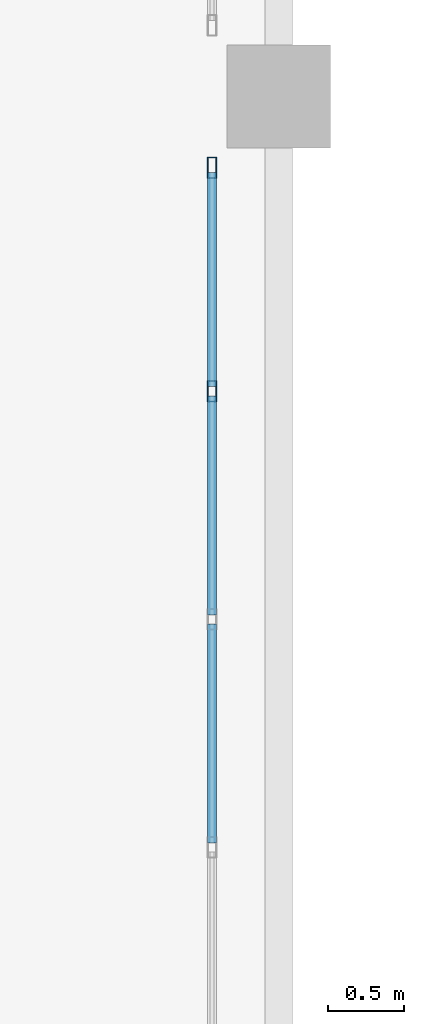
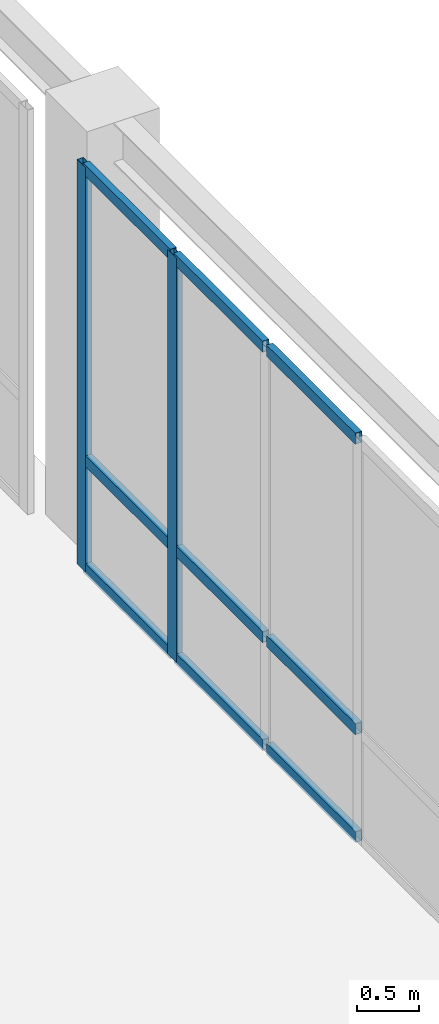
# One storey, part 67 of 140: 11 members, 1 element without a shape of its own.
"""IFC4 building model written with IfcOpenShell, lengths in metres."""

from ifc_helpers import new_model, si_unit, direction, frame, origin, origin_2d, place, context, subcontext, project, spatial, hollow_rectangle, extrude, material, layer, layer_set, material_profile, profile_set, type_object, element, aggregate, save


model = new_model("IFC4")

# Units and contexts
model_context = context("Model", 3, precision=1e-05, world=origin(), true_north=direction((0.0, 1.0)))
body_context = subcontext(model_context, "Body", "Model", "MODEL_VIEW")
ifc_project = project(units=[si_unit("LENGTHUNIT", "METRE"), si_unit("AREAUNIT", "SQUARE_METRE"), si_unit("VOLUMEUNIT", "CUBIC_METRE"), si_unit("PLANEANGLEUNIT", "RADIAN"), si_unit("MASSUNIT", "GRAM", prefix="KILO")], contexts=[model_context])

# Site, building, storey
site_placement = place(None, origin())
site = spatial("IfcSite", under=ifc_project, at=site_placement, CompositionType="ELEMENT")
building_placement = place(site_placement, origin())
building = spatial("IfcBuilding", under=site, at=building_placement, Name="Trelvath General Hospital", CompositionType="ELEMENT")
storey_placement = place(building_placement, frame((0.0, 0.0, 16.199951171875)))
storey = spatial("IfcBuildingStorey", under=building, at=storey_placement, Name="L04", CompositionType="ELEMENT", Elevation=16.199951171875)

# Curtain wall, members
ifc_material_1 = material(Name="Anodised aluminium and low-E glass", Category="aluminium")
ifc_layer = layer(ifc_material_1, 0.139892578125)
ifc_layer_set = layer_set([ifc_layer], Name="Anodised aluminium and low-E glass")
curtain_wall_type = type_object("IfcCurtainWallType", Name="CW Bridge 752 401", PredefinedType="USERDEFINED", material=ifc_layer_set)
curtain_wall_placement = place(storey_placement, origin())
curtain_wall = element("IfcCurtainWall", 1, at=curtain_wall_placement, inside=storey, type_object=curtain_wall_type, Name="Glazed Bridge Curtain Wall BRG-N-C E L04", ObjectType="Unitised Glazed Curtain Wall", PredefinedType="USERDEFINED")
ifc_material_2 = material(Name="Anodised aluminium", Category="aluminium")
ifc_material_profile_1 = material_profile(ifc_material_2, hollow_rectangle(XDim=0.06005859375, YDim=0.139892578125, WallThickness=0.00390625, at=origin_2d()), Name="RHS60x140x4")
ifc_profile_set_1 = profile_set([ifc_material_profile_1], Name="Anodised aluminium")
member_type_1 = type_object("IfcMemberType", Name="CurtainMullion 60x140", PredefinedType="MULLION", material=ifc_profile_set_1)
member_1_placement = place(storey_placement, frame((83.56005859375, 83.530029296875, 0.0), z_axis=(0.0, 0.0, 1.0), x_axis=(1.0, 0.0, 0.0)))
member_1 = element("IfcMember", 2, at=member_1_placement, type_object=member_type_1, Name="CW-299 mullion 1", PredefinedType="MULLION", context=body_context, shape_type="SweptSolid", body=[
    extrude(hollow_rectangle(XDim=0.06005859375, YDim=0.139892578125, WallThickness=0.00390625, at=origin_2d()), origin(), (0.0, 0.0, 1.0), 4.010009765625),
])
member_2_placement = place(storey_placement, frame((83.56005859375, 82.055908203125, 0.0), z_axis=(0.0, 0.0, 1.0), x_axis=(1.0, 0.0, 0.0)))
member_2 = element("IfcMember", 3, at=member_2_placement, type_object=member_type_1, Name="CW-299 mullion 2", PredefinedType="MULLION", context=body_context, shape_type="SweptSolid", body=[
    extrude(hollow_rectangle(XDim=0.06005859375, YDim=0.139892578125, WallThickness=0.00390625, at=origin_2d()), origin(), (0.0, 0.0, 1.0), 4.010009765625),
])
ifc_material_3 = material(Name="Anodised aluminium", Category="aluminium")
ifc_material_profile_2 = material_profile(ifc_material_3, hollow_rectangle(XDim=0.06005859375, YDim=0.110107421875, WallThickness=0.00390625, at=origin_2d()), Name="RHS60x110x4")
ifc_profile_set_2 = profile_set([ifc_material_profile_2], Name="Anodised aluminium")
member_type_2 = type_object("IfcMemberType", Name="CurtainTransom 60x110", PredefinedType="USERDEFINED", material=ifc_profile_set_2)
member_3_placement = place(storey_placement, frame((83.56005859375, 83.5, 0.030029296875), z_axis=(0.0, -1.0, 0.0), x_axis=(1.0, 0.0, 0.0)))
member_3 = element("IfcMember", 4, at=member_3_placement, type_object=member_type_2, Name="CW-299 transom 1.1", ObjectType="TRANSOM", PredefinedType="USERDEFINED", context=body_context, shape_type="SweptSolid", body=[
    extrude(hollow_rectangle(XDim=0.06005859375, YDim=0.110107421875, WallThickness=0.00390625, at=origin_2d()), origin(), (0.0, 0.0, 1.0), 1.4140625),
])
member_4_placement = place(storey_placement, frame((83.56005859375, 83.5, 1.10009765625), z_axis=(0.0, -1.0, 0.0), x_axis=(1.0, 0.0, 0.0)))
member_4 = element("IfcMember", 5, at=member_4_placement, type_object=member_type_2, Name="CW-299 transom 1.2", ObjectType="TRANSOM", PredefinedType="USERDEFINED", context=body_context, shape_type="SweptSolid", body=[
    extrude(hollow_rectangle(XDim=0.06005859375, YDim=0.110107421875, WallThickness=0.00390625, at=origin_2d()), origin(), (0.0, 0.0, 1.0), 1.4140625),
])
member_5_placement = place(storey_placement, frame((83.56005859375, 83.5, 3.97998046875), z_axis=(0.0, -1.0, 0.0), x_axis=(1.0, 0.0, 0.0)))
member_5 = element("IfcMember", 6, at=member_5_placement, type_object=member_type_2, Name="CW-299 transom 1.3", ObjectType="TRANSOM", PredefinedType="USERDEFINED", context=body_context, shape_type="SweptSolid", body=[
    extrude(hollow_rectangle(XDim=0.06005859375, YDim=0.110107421875, WallThickness=0.00390625, at=origin_2d()), origin(), (0.0, 0.0, 1.0), 1.4140625),
])
member_6_placement = place(storey_placement, frame((83.56005859375, 82.02587890625, 0.030029296875), z_axis=(0.0, -1.0, 0.0), x_axis=(1.0, 0.0, 0.0)))
member_6 = element("IfcMember", 7, at=member_6_placement, type_object=member_type_2, Name="CW-299 transom 2.1", ObjectType="TRANSOM", PredefinedType="USERDEFINED", context=body_context, shape_type="SweptSolid", body=[
    extrude(hollow_rectangle(XDim=0.06005859375, YDim=0.110107421875, WallThickness=0.00390625, at=origin_2d()), origin(), (0.0, 0.0, 1.0), 1.44384765625),
])
member_7_placement = place(storey_placement, frame((83.56005859375, 82.02587890625, 1.10009765625), z_axis=(0.0, -1.0, 0.0), x_axis=(1.0, 0.0, 0.0)))
member_7 = element("IfcMember", 8, at=member_7_placement, type_object=member_type_2, Name="CW-299 transom 2.2", ObjectType="TRANSOM", PredefinedType="USERDEFINED", context=body_context, shape_type="SweptSolid", body=[
    extrude(hollow_rectangle(XDim=0.06005859375, YDim=0.110107421875, WallThickness=0.00390625, at=origin_2d()), origin(), (0.0, 0.0, 1.0), 1.44384765625),
])
member_8_placement = place(storey_placement, frame((83.56005859375, 82.02587890625, 3.97998046875), z_axis=(0.0, -1.0, 0.0), x_axis=(1.0, 0.0, 0.0)))
member_8 = element("IfcMember", 9, at=member_8_placement, type_object=member_type_2, Name="CW-299 transom 2.3", ObjectType="TRANSOM", PredefinedType="USERDEFINED", context=body_context, shape_type="SweptSolid", body=[
    extrude(hollow_rectangle(XDim=0.06005859375, YDim=0.110107421875, WallThickness=0.00390625, at=origin_2d()), origin(), (0.0, 0.0, 1.0), 1.44384765625),
])
member_9_placement = place(storey_placement, frame((83.56005859375, 80.52197265625, 0.030029296875), z_axis=(0.0, -1.0, 0.0), x_axis=(1.0, 0.0, 0.0)))
member_9 = element("IfcMember", 10, at=member_9_placement, type_object=member_type_2, Name="CW-299 transom 3.1", ObjectType="TRANSOM", PredefinedType="USERDEFINED", context=body_context, shape_type="SweptSolid", body=[
    extrude(hollow_rectangle(XDim=0.06005859375, YDim=0.110107421875, WallThickness=0.00390625, at=origin_2d()), origin(), (0.0, 0.0, 1.0), 1.444091796875),
])
member_10_placement = place(storey_placement, frame((83.56005859375, 80.52197265625, 1.10009765625), z_axis=(0.0, -1.0, 0.0), x_axis=(1.0, 0.0, 0.0)))
member_10 = element("IfcMember", 11, at=member_10_placement, type_object=member_type_2, Name="CW-299 transom 3.2", ObjectType="TRANSOM", PredefinedType="USERDEFINED", context=body_context, shape_type="SweptSolid", body=[
    extrude(hollow_rectangle(XDim=0.06005859375, YDim=0.110107421875, WallThickness=0.00390625, at=origin_2d()), origin(), (0.0, 0.0, 1.0), 1.444091796875),
])
member_11_placement = place(storey_placement, frame((83.56005859375, 80.52197265625, 3.97998046875), z_axis=(0.0, -1.0, 0.0), x_axis=(1.0, 0.0, 0.0)))
member_11 = element("IfcMember", 12, at=member_11_placement, type_object=member_type_2, Name="CW-299 transom 3.3", ObjectType="TRANSOM", PredefinedType="USERDEFINED", context=body_context, shape_type="SweptSolid", body=[
    extrude(hollow_rectangle(XDim=0.06005859375, YDim=0.110107421875, WallThickness=0.00390625, at=origin_2d()), origin(), (0.0, 0.0, 1.0), 1.444091796875),
])
aggregate(curtain_wall, [member_1, member_2, member_3, member_4, member_5, member_6, member_7, member_8, member_9, member_10, member_11])

save(model, "model.ifc")
